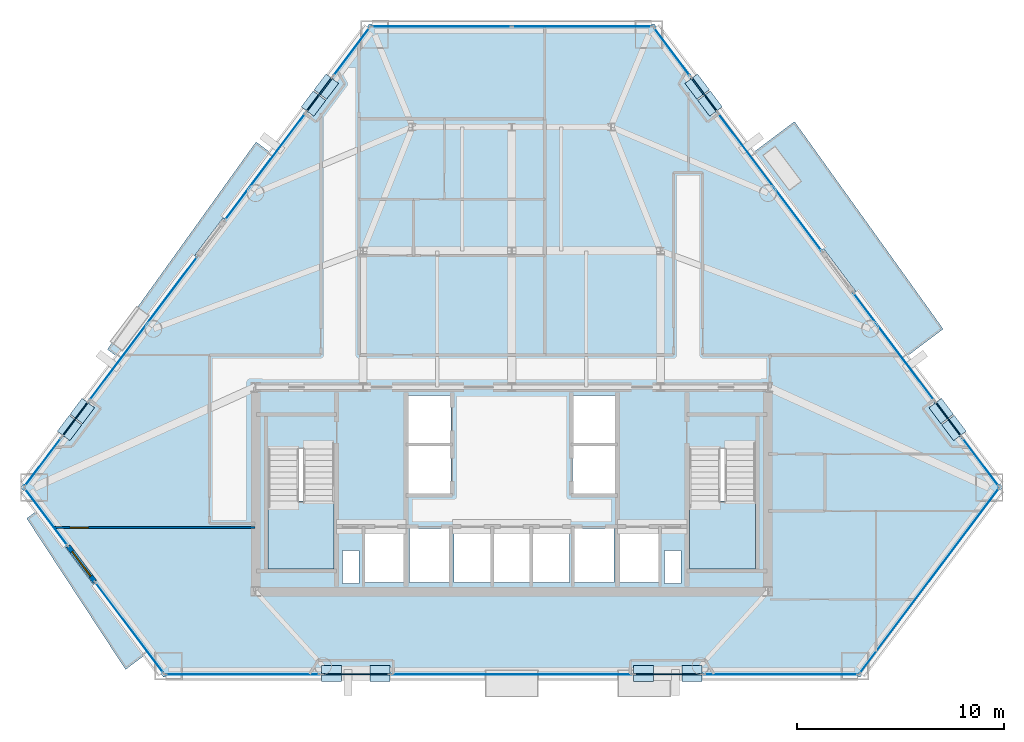
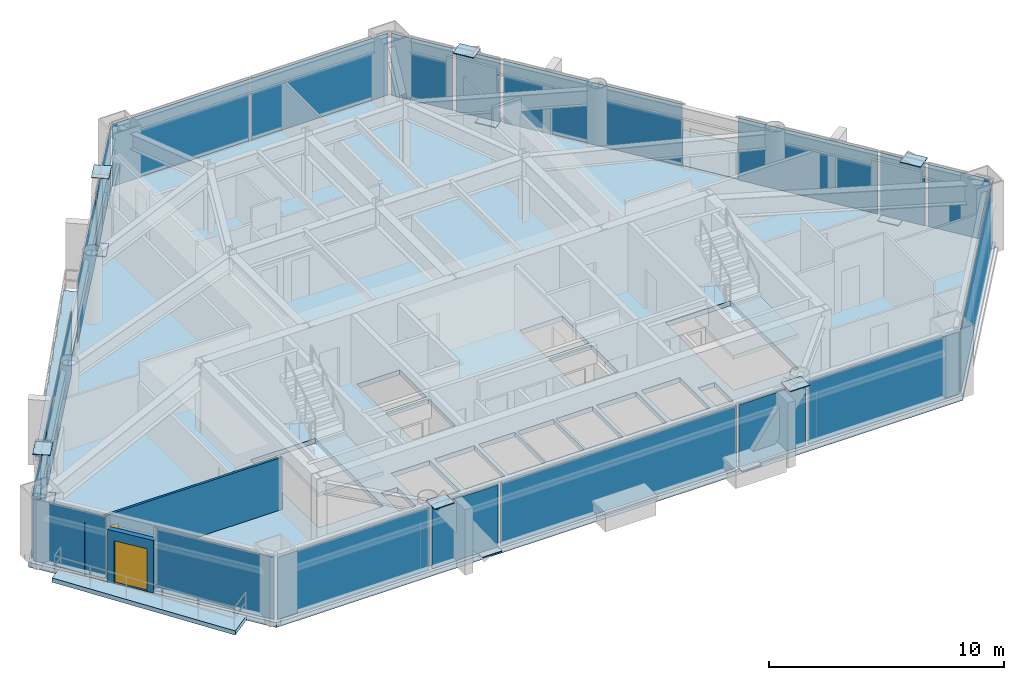
# One storey, part 5 of 10: 34 plates, 6 slabs, 2 doors, 2 walls, 2 openings, 23 elements without a shape of their own.
"""IFC4 building model written with IfcOpenShell, lengths in metres."""

from ifc_helpers import new_model, si_unit, direction, frame, frame_2d, origin, origin_2d, place, context, subcontext, project, spatial, polyline, rectangle, outline, extrude, source, transform, mapped, material, layer, layer_set, type_object, type_shapes, element, fill, aggregate, save


model = new_model("IFC4")

# Units and contexts
model_context = context("Model", 3, precision=1e-05, world=origin(), true_north=direction((0.0, 1.0)))
body_context = subcontext(model_context, "Body", "Model", "MODEL_VIEW")
ifc_project = project(units=[si_unit("LENGTHUNIT", "METRE"), si_unit("AREAUNIT", "SQUARE_METRE"), si_unit("VOLUMEUNIT", "CUBIC_METRE"), si_unit("PLANEANGLEUNIT", "RADIAN"), si_unit("MASSUNIT", "GRAM", prefix="KILO")], contexts=[model_context])

# Site, building, storey
site_placement = place(None, origin())
site = spatial("IfcSite", under=ifc_project, at=site_placement, CompositionType="ELEMENT")
building_placement = place(site_placement, origin())
building = spatial("IfcBuilding", under=site, at=building_placement, Name="Talgorran Terracotta Tower", CompositionType="ELEMENT")
storey_placement = place(building_placement, frame((0.0, 0.0, 82.800048828125)))
storey = spatial("IfcBuildingStorey", under=building, at=storey_placement, Name="L21", CompositionType="ELEMENT", Elevation=82.800048828125)

# Plates
ifc_material_1 = material(Name="Steel Grade 350 (350L0)", Category="steel")
ifc_layer_1 = layer(ifc_material_1, 0.0400390625, Name="PL_CAP_MN05")
ifc_layer_set_1 = layer_set([ifc_layer_1], Name="Steel Grade 350 (350L0)")
plate_type_1 = type_object("IfcPlateType", Name="PL_CAP_MN05", PredefinedType="USERDEFINED", material=ifc_layer_set_1)
for number, where, z_axis, x_axis, name in (
    (1, (-6.381591796875, -18.062255859375, -0.010009765625), (0.0, 0.0, 1.0), (-1.0, 0.0, 0.0), "L21 Diagonal Frame End Cap SWF Bot"),
    (2, (-8.732666015625, -18.062255859375, 3.31982421875), (0.0, 0.0, 1.0), (-1.0, 0.0, 0.0), "L21 Diagonal Frame End Cap SWF Top"),
    (3, (6.381591796875, -18.062255859375, -0.010009765625), (0.0, 0.0, 1.0), (1.0, 0.0, 0.0), "L21 Diagonal Frame End Cap SEF Bot"),
    (4, (8.732666015625, -18.062255859375, 3.31982421875), (0.0, 0.0, 1.0), (1.0, 0.0, 0.0), "L21 Diagonal Frame End Cap SEF Top"),
    (5, (20.788818359375, -5.353759765625, -0.010009765625), (0.0, 0.0, 1.0), (0.600978364173, -0.79926529125, 0.0), "L21 Diagonal Frame End Cap NEL Bot"),
    (6, (21.40869140625, -6.177978515625, 3.31982421875), (0.0, 0.0, 1.0), (0.600978364173, -0.79926529125, 0.0), "L21 Diagonal Frame End Cap NEL Top"),
    (7, (9.59765625, 9.527099609375, -0.010009765625), (0.0, 0.0, 1.0), (-0.600978364173, 0.79926529125, 0.0), "L21 Diagonal Frame End Cap NEU Bot"),
    (8, (8.977783203125, 10.351318359375, 3.31982421875), (0.0, 0.0, 1.0), (-0.600978364173, 0.79926529125, 0.0), "L21 Diagonal Frame End Cap NEU Top"),
    (9, (-9.59765625, 9.527099609375, -0.010009765625), (0.0, 0.0, 1.0), (0.600978364173, 0.79926529125, 0.0), "L21 Diagonal Frame End Cap NWU Bot"),
    (10, (-8.977783203125, 10.351318359375, 3.31982421875), (0.0, 0.0, 1.0), (0.600978364173, 0.79926529125, 0.0), "L21 Diagonal Frame End Cap NWU Top"),
    (11, (-20.788818359375, -5.353759765625, -0.010009765625), (0.0, 0.0, 1.0), (-0.600978364173, -0.79926529125, 0.0), "L21 Diagonal Frame End Cap NWL Bot"),
    (12, (-21.40869140625, -6.177978515625, 3.31982421875), (0.0, 0.0, 1.0), (-0.600978364173, -0.79926529125, 0.0), "L21 Diagonal Frame End Cap NWL Top"),
):
    element("IfcPlate", number, at=place(storey_placement, frame(where, z_axis=z_axis, x_axis=x_axis)), inside=storey, type_object=plate_type_1, Name=name, ObjectType="CAP PLATE", PredefinedType="USERDEFINED", context=body_context, shape_type="SweptSolid", body=[
        extrude(rectangle(XDim=0.9599609375, YDim=0.760009765625, at=origin_2d()), origin(), (0.0, 0.0, 1.0), 0.0400390625),
    ])

# Slabs
ifc_material_2 = material(Name="Concrete C40/50", Category="concrete")
ifc_layer_2 = layer(ifc_material_2, 0.219970703125, Name="SL_BALCONY_220")
ifc_layer_set_2 = layer_set([ifc_layer_2], Name="Concrete C40/50")
slab_type_1 = type_object("IfcSlabType", Name="SL_BALCONY_220", PredefinedType="FLOOR", material=ifc_layer_set_2)
slab_1_placement = place(storey_placement, frame((0.0, 0.0, -0.219970703125)))
element("IfcSlab", 13, at=slab_1_placement, inside=storey, type_object=slab_type_1, Name="L21 Outdoor Wave Balcony BAL-NE", PredefinedType="FLOOR", context=body_context, shape_type="SweptSolid", body=[
    extrude(outline(polyline([(11.63330078125, 7.11181640625), (19.0576171875, -2.760498046875), (20.885498046875, -1.385498046875), (13.687255859375, 8.656494140625), (11.63330078125, 7.11181640625)])), origin(), (0.0, 0.0, 1.0), 0.219970703125),
])
slab_2_placement = place(storey_placement, frame((0.0, 0.0, -0.219970703125)))
element("IfcSlab", 14, at=slab_2_placement, inside=storey, type_object=slab_type_1, Name="L21 Outdoor Wave Balcony BAL-NW", PredefinedType="FLOOR", context=body_context, shape_type="SweptSolid", body=[
    extrude(outline(polyline([(-19.0576171875, -2.760498046875), (-11.63330078125, 7.11181640625), (-12.378662109375, 7.67236328125), (-19.576904296875, -2.369873046875), (-19.0576171875, -2.760498046875)])), origin(), (0.0, 0.0, 1.0), 0.219970703125),
])
slab_3_placement = place(storey_placement, frame((0.0, 0.0, -0.219970703125)))
element("IfcSlab", 15, at=slab_3_placement, inside=storey, type_object=slab_type_1, Name="L21 Outdoor Wave Balcony BAL-SW", PredefinedType="FLOOR", context=body_context, shape_type="SweptSolid", body=[
    extrude(outline(polyline([(-17.712890625, -17.130615234375), (-22.95458984375, -10.1611328125), (-23.4833984375, -10.558837890625), (-18.69384765625, -17.868408203125), (-17.712890625, -17.130615234375)])), origin(), (0.0, 0.0, 1.0), 0.219970703125),
])

# Stair, slab
stair_type = type_object("IfcStairType", Name="ST_FIRE_SCISSOR", PredefinedType="HALF_TURN_STAIR", material=ifc_material_2)
stair_1_placement = place(storey_placement, origin())
stair_1 = element("IfcStair", 16, at=stair_1_placement, inside=storey, type_object=stair_type, Name="L21 West Protected Fire Stair ST-01", PredefinedType="HALF_TURN_STAIR")
ifc_layer_3 = layer(ifc_material_2, 0.199951171875, Name="SL_LANDING_200")
ifc_layer_set_3 = layer_set([ifc_layer_3], Name="Concrete C40/50")
slab_type_2 = type_object("IfcSlabType", Name="SL_LANDING_200", PredefinedType="LANDING", material=ifc_layer_set_3)
slab_4_placement = place(storey_placement, frame((0.0, 0.0, 1.599853515625)))
slab_4 = element("IfcSlab", 17, at=slab_4_placement, type_object=slab_type_2, Name="ST-01 landing 1", PredefinedType="LANDING", context=body_context, shape_type="SweptSolid", body=[
    extrude(outline(polyline([(-11.800048828125, -9.719970703125), (-11.800048828125, -13.0), (-8.60009765625, -13.0), (-8.60009765625, -9.719970703125), (-11.800048828125, -9.719970703125)])), origin(), (0.0, 0.0, 1.0), 0.2001953125),
])
aggregate(stair_1, [slab_4])

stair_2_placement = place(storey_placement, origin())
stair_2 = element("IfcStair", 18, at=stair_2_placement, inside=storey, type_object=stair_type, Name="L21 East Protected Fire Stair ST-02", PredefinedType="HALF_TURN_STAIR")
slab_5_placement = place(storey_placement, frame((0.0, 0.0, 1.599853515625)))
slab_5 = element("IfcSlab", 19, at=slab_5_placement, type_object=slab_type_2, Name="ST-02 landing 1", PredefinedType="LANDING", context=body_context, shape_type="SweptSolid", body=[
    extrude(outline(polyline([(8.60009765625, -9.719970703125), (8.60009765625, -13.0), (11.800048828125, -13.0), (11.800048828125, -9.719970703125), (8.60009765625, -9.719970703125)])), origin(), (0.0, 0.0, 1.0), 0.2001953125),
])
aggregate(stair_2, [slab_5])

# Slab
ifc_layer_4 = layer(ifc_material_2, 0.264892578125, Name="SL_TOWER_265")
ifc_layer_set_4 = layer_set([ifc_layer_4], Name="Concrete C40/50")
slab_type_3 = type_object("IfcSlabType", Name="SL_TOWER_265", PredefinedType="FLOOR", material=ifc_layer_set_4)
slab_6_placement = place(storey_placement, frame((0.0, 0.0, -0.25)))
element("IfcSlab", 20, at=slab_6_placement, inside=storey, type_object=slab_type_3, Name="Storey L21 Structural Floor Slab", PredefinedType="FLOOR", context=body_context, shape_type="SweptSolid", body=[
    extrude(outline(polyline([(-23.77001953125, -9.0517578125), (-16.873291015625, -18.22216796875), (16.873291015625, -18.22216796875), (23.77001953125, -9.0517578125), (6.896484375, 13.385009765625), (-6.896484375, 13.385009765625), (-23.77001953125, -9.0517578125)]), holes=[polyline([(-11.800048828125, -7.199951171875), (-11.800048828125, -13.0), (-8.60009765625, -13.0), (-8.60009765625, -7.199951171875), (-11.800048828125, -7.199951171875)]), polyline([(8.60009765625, -7.199951171875), (8.60009765625, -13.0), (11.800048828125, -13.0), (11.800048828125, -7.199951171875), (8.60009765625, -7.199951171875)]), polyline([(-7.10009765625, -13.64990234375), (-5.199951171875, -13.64990234375), (-5.199951171875, -11.050048828125), (-7.10009765625, -11.050048828125), (-7.10009765625, -13.64990234375)]), polyline([(5.199951171875, -13.64990234375), (7.10009765625, -13.64990234375), (7.10009765625, -11.050048828125), (5.199951171875, -11.050048828125), (5.199951171875, -13.64990234375)]), polyline([(3.0, -13.64990234375), (4.949951171875, -13.64990234375), (4.949951171875, -11.050048828125), (3.0, -11.050048828125), (3.0, -13.64990234375)]), polyline([(-4.949951171875, -13.64990234375), (-3.0, -13.64990234375), (-3.0, -11.050048828125), (-4.949951171875, -11.050048828125), (-4.949951171875, -13.64990234375)]), polyline([(-5.050048828125, -9.35009765625), (-2.949951171875, -9.35009765625), (-2.949951171875, -7.050048828125), (-5.050048828125, -7.050048828125), (-5.050048828125, -9.35009765625)]), polyline([(-5.050048828125, -6.89990234375), (-2.949951171875, -6.89990234375), (-2.949951171875, -4.60009765625), (-5.050048828125, -4.60009765625), (-5.050048828125, -6.89990234375)]), polyline([(2.949951171875, -9.35009765625), (5.050048828125, -9.35009765625), (5.050048828125, -7.050048828125), (2.949951171875, -7.050048828125), (2.949951171875, -9.35009765625)]), polyline([(2.949951171875, -6.89990234375), (5.050048828125, -6.89990234375), (5.050048828125, -4.60009765625), (2.949951171875, -4.60009765625), (2.949951171875, -6.89990234375)]), polyline([(-2.800048828125, -13.64990234375), (-1.0, -13.64990234375), (-1.0, -11.050048828125), (-2.800048828125, -11.050048828125), (-2.800048828125, -13.64990234375)]), polyline([(-0.89990234375, -13.64990234375), (0.89990234375, -13.64990234375), (0.89990234375, -11.050048828125), (-0.89990234375, -11.050048828125), (-0.89990234375, -13.64990234375)]), polyline([(1.0, -13.64990234375), (2.800048828125, -13.64990234375), (2.800048828125, -11.050048828125), (1.0, -11.050048828125), (1.0, -13.64990234375)]), polyline([(-8.199951171875, -13.699951171875), (-7.39990234375, -13.699951171875), (-7.39990234375, -12.10009765625), (-8.199951171875, -12.10009765625), (-8.199951171875, -13.699951171875)]), polyline([(7.39990234375, -13.699951171875), (8.199951171875, -13.699951171875), (8.199951171875, -12.10009765625), (7.39990234375, -12.10009765625), (7.39990234375, -13.699951171875)])]), origin(), (0.0, 0.0, 1.0), 0.25),
])

# Curtain wall, plate
ifc_material_3 = material(Name="Unitised Low-E Double Glazing", Category="glass")
ifc_layer_5 = layer(ifc_material_3, 0.199951171875, Name="CW_SYS2_RES_LOW")
ifc_layer_set_5 = layer_set([ifc_layer_5], Name="Unitised Low-E Double Glazing")
curtain_wall_type = type_object("IfcCurtainWallType", Name="CW_SYS2_RES_LOW", PredefinedType="NOTDEFINED", material=ifc_layer_set_5)
curtain_wall_1_placement = place(storey_placement, origin())
curtain_wall_1 = element("IfcCurtainWall", 21, at=curtain_wall_1_placement, inside=storey, type_object=curtain_wall_type, Name="CW-L21-F10", PredefinedType="NOTDEFINED")
ifc_material_4 = material(Name="Low-E Laminated Vision Glass", Category="glass")
ifc_layer_6 = layer(ifc_material_4, 0.028076171875, Name="PLT_VISION_28")
ifc_layer_set_6 = layer_set([ifc_layer_6], Name="Low-E Laminated Vision Glass")
plate_type_2 = type_object("IfcPlateType", Name="PLT_VISION_28", PredefinedType="CURTAIN_PANEL", material=ifc_layer_set_6)
shared_shape_1 = source(origin(), body_context, "Body", "SweptSolid", [
    extrude(rectangle(XDim=3.38330078125, YDim=0.028076171875, at=origin_2d()), origin(), (0.0, 0.0, 1.0), 3.219970703125),
])
plate_1_placement = place(storey_placement, frame((-22.5400390625, -10.487548828125, 0.06494140625), z_axis=(0.0, 0.0, 1.0), x_axis=(0.601065143603, -0.799200033249, 0.0)))
plate_1 = element("IfcPlate", 22, at=plate_1_placement, type_object=plate_type_2, Name="CW-L21-10 panel 1.1", PredefinedType="CURTAIN_PANEL", context=body_context, shape_type="MappedRepresentation", body=[
    mapped(shared_shape_1, transform((0.0, 0.0, 0.0), scale=1.0)),
])
aggregate(curtain_wall_1, [plate_1])

curtain_wall_2_placement = place(storey_placement, origin())
curtain_wall_2 = element("IfcCurtainWall", 23, at=curtain_wall_2_placement, inside=storey, type_object=curtain_wall_type, Name="CW-L21-F11", PredefinedType="NOTDEFINED")
shared_shape_2 = source(origin(), body_context, "Body", "SweptSolid", [
    extrude(rectangle(XDim=5.44091796875, YDim=0.028076171875, at=origin_2d()), origin(), (0.0, 0.0, 1.0), 3.219970703125),
])
plate_2_placement = place(storey_placement, frame((-18.51171875, -15.843994140625, 0.06494140625), z_axis=(0.0, 0.0, 1.0), x_axis=(0.601056373493, -0.799206629029, 0.0)))
plate_2 = element("IfcPlate", 24, at=plate_2_placement, type_object=plate_type_2, Name="CW-L21-11 panel 1.1", PredefinedType="CURTAIN_PANEL", context=body_context, shape_type="MappedRepresentation", body=[
    mapped(shared_shape_2, transform((0.0, 0.0, 0.0), scale=1.0)),
])
aggregate(curtain_wall_2, [plate_2])

curtain_wall_3_placement = place(storey_placement, origin())
curtain_wall_3 = element("IfcCurtainWall", 25, at=curtain_wall_3_placement, inside=storey, type_object=curtain_wall_type, Name="CW-L21-F1", PredefinedType="NOTDEFINED")
shared_shape_3 = source(origin(), body_context, "Body", "SweptSolid", [
    extrude(rectangle(XDim=7.42578125, YDim=0.028076171875, at=origin_2d()), origin(), (0.0, 0.0, 1.0), 3.219970703125),
])
plate_3_placement = place(storey_placement, frame((-13.03564453125, -18.102294921875, 0.06494140625), z_axis=(0.0, 0.0, 1.0), x_axis=(1.0, 0.0, 0.0)))
plate_3 = element("IfcPlate", 26, at=plate_3_placement, type_object=plate_type_2, Name="CW-L21-1 panel 1.1", PredefinedType="CURTAIN_PANEL", context=body_context, shape_type="MappedRepresentation", body=[
    mapped(shared_shape_3, transform((0.0, 0.0, 0.0), scale=1.0)),
])
aggregate(curtain_wall_3, [plate_3])

curtain_wall_4_placement = place(storey_placement, origin())
curtain_wall_4 = element("IfcCurtainWall", 27, at=curtain_wall_4_placement, inside=storey, type_object=curtain_wall_type, Name="CW-L21-F1E", PredefinedType="NOTDEFINED")
plate_4_placement = place(storey_placement, frame((13.03564453125, -18.102294921875, 0.06494140625), z_axis=(0.0, 0.0, 1.0), x_axis=(1.0, 0.0, 0.0)))
plate_4 = element("IfcPlate", 28, at=plate_4_placement, type_object=plate_type_2, Name="CW-L21-1E panel 1.1", PredefinedType="CURTAIN_PANEL", context=body_context, shape_type="MappedRepresentation", body=[
    mapped(shared_shape_3, transform((0.0, 0.0, 0.0), scale=1.0)),
])
aggregate(curtain_wall_4, [plate_4])

curtain_wall_5_placement = place(storey_placement, origin())
curtain_wall_5 = element("IfcCurtainWall", 29, at=curtain_wall_5_placement, inside=storey, type_object=curtain_wall_type, Name="CW-L21-F1B", PredefinedType="NOTDEFINED")
ifc_material_5 = material(Name="Terracotta Insulated Spandrel", Category="masonry")
ifc_layer_7 = layer(ifc_material_5, 0.06494140625, Name="PLT_SPANDREL_TERRA")
ifc_layer_set_7 = layer_set([ifc_layer_7], Name="Terracotta Insulated Spandrel")
plate_type_3 = type_object("IfcPlateType", Name="PLT_SPANDREL_TERRA", PredefinedType="SHEET", material=ifc_layer_set_7)
shared_shape_4 = source(origin(), body_context, "Body", "SweptSolid", [
    extrude(rectangle(XDim=3.251220703125, YDim=0.06494140625, at=origin_2d()), origin(), (0.0, 0.0, 1.0), 3.219970703125),
])
plate_5_placement = place(storey_placement, frame((-7.55712890625, -18.102294921875, 0.06494140625), z_axis=(0.0, 0.0, 1.0), x_axis=(1.0, 0.0, 0.0)))
plate_5 = element("IfcPlate", 30, at=plate_5_placement, type_object=plate_type_3, Name="CW-L21-1B panel 1.1", PredefinedType="CURTAIN_PANEL", context=body_context, shape_type="MappedRepresentation", body=[
    mapped(shared_shape_4, transform((0.0, 0.0, 0.0), scale=1.0)),
])
aggregate(curtain_wall_5, [plate_5])

curtain_wall_6_placement = place(storey_placement, origin())
curtain_wall_6 = element("IfcCurtainWall", 31, at=curtain_wall_6_placement, inside=storey, type_object=curtain_wall_type, Name="CW-L21-F1D", PredefinedType="NOTDEFINED")
plate_6_placement = place(storey_placement, frame((7.55712890625, -18.102294921875, 0.06494140625), z_axis=(0.0, 0.0, 1.0), x_axis=(1.0, 0.0, 0.0)))
plate_6 = element("IfcPlate", 32, at=plate_6_placement, type_object=plate_type_3, Name="CW-L21-1D panel 1.1", PredefinedType="CURTAIN_PANEL", context=body_context, shape_type="MappedRepresentation", body=[
    mapped(shared_shape_4, transform((0.0, 0.0, 0.0), scale=1.0)),
])
aggregate(curtain_wall_6, [plate_6])

curtain_wall_7_placement = place(storey_placement, origin())
curtain_wall_7 = element("IfcCurtainWall", 33, at=curtain_wall_7_placement, inside=storey, type_object=curtain_wall_type, Name="CW-L21-F1C", PredefinedType="NOTDEFINED")
shared_shape_5 = source(origin(), body_context, "Body", "SweptSolid", [
    extrude(rectangle(XDim=11.582763671875, YDim=0.028076171875, at=origin_2d()), origin(), (0.0, 0.0, 1.0), 3.219970703125),
])
plate_7_placement = place(storey_placement, frame((0.0, -18.102294921875, 0.06494140625), z_axis=(0.0, 0.0, 1.0), x_axis=(1.0, 0.0, 0.0)))
plate_7 = element("IfcPlate", 34, at=plate_7_placement, type_object=plate_type_2, Name="CW-L21-1C panel 1.1", PredefinedType="CURTAIN_PANEL", context=body_context, shape_type="MappedRepresentation", body=[
    mapped(shared_shape_5, transform((0.0, 0.0, 0.0), scale=1.0)),
])
aggregate(curtain_wall_7, [plate_7])

curtain_wall_8_placement = place(storey_placement, origin())
curtain_wall_8 = element("IfcCurtainWall", 35, at=curtain_wall_8_placement, inside=storey, type_object=curtain_wall_type, Name="CW-L21-F2", PredefinedType="NOTDEFINED")
shared_shape_6 = source(origin(), body_context, "Body", "SweptSolid", [
    extrude(rectangle(XDim=11.1943359375, YDim=0.028076171875, at=origin_2d()), origin(), (0.0, 0.0, 1.0), 3.219970703125),
])
plate_8_placement = place(storey_placement, frame((20.216796875, -13.576904296875, 0.06494140625), z_axis=(0.0, 0.0, 1.0), x_axis=(0.601052083423, 0.799209855428, 0.0)))
plate_8 = element("IfcPlate", 36, at=plate_8_placement, type_object=plate_type_2, Name="CW-L21-2 panel 1.1", PredefinedType="CURTAIN_PANEL", context=body_context, shape_type="MappedRepresentation", body=[
    mapped(shared_shape_6, transform((0.0, 0.0, 0.0), scale=1.0)),
])
aggregate(curtain_wall_8, [plate_8])

curtain_wall_9_placement = place(storey_placement, origin())
curtain_wall_9 = element("IfcCurtainWall", 37, at=curtain_wall_9_placement, inside=storey, type_object=curtain_wall_type, Name="CW-L21-F40", PredefinedType="NOTDEFINED")
shared_shape_7 = source(origin(), body_context, "Body", "SweptSolid", [
    extrude(rectangle(XDim=2.8701171875, YDim=0.028076171875, at=origin_2d()), origin(), (0.0, 0.0, 1.0), 3.219970703125),
])
plate_9_placement = place(storey_placement, frame((22.6943359375, -7.82080078125, 0.06494140625), z_axis=(0.0, 0.0, 1.0), x_axis=(-0.601071410388, 0.799195320065, 0.0)))
plate_9 = element("IfcPlate", 38, at=plate_9_placement, type_object=plate_type_2, Name="CW-L21-40 panel 1.1", PredefinedType="CURTAIN_PANEL", context=body_context, shape_type="MappedRepresentation", body=[
    mapped(shared_shape_7, transform((0.0, 0.0, 0.0), scale=1.0)),
])
aggregate(curtain_wall_9, [plate_9])

curtain_wall_10_placement = place(storey_placement, origin())
curtain_wall_10 = element("IfcCurtainWall", 39, at=curtain_wall_10_placement, inside=storey, type_object=curtain_wall_type, Name="CW-L21-F61C", PredefinedType="NOTDEFINED")
plate_10_placement = place(storey_placement, frame((-22.6943359375, -7.82080078125, 0.06494140625), z_axis=(0.0, 0.0, 1.0), x_axis=(-0.601034108861, -0.799223373022, 0.0)))
plate_10 = element("IfcPlate", 40, at=plate_10_placement, type_object=plate_type_2, Name="CW-L21-61C panel 1.1", PredefinedType="CURTAIN_PANEL", context=body_context, shape_type="MappedRepresentation", body=[
    mapped(shared_shape_7, transform((0.0, 0.0, 0.0), scale=1.0)),
])
aggregate(curtain_wall_10, [plate_10])

curtain_wall_11_placement = place(storey_placement, origin())
curtain_wall_11 = element("IfcCurtainWall", 41, at=curtain_wall_11_placement, inside=storey, type_object=curtain_wall_type, Name="CW-L21-F40B", PredefinedType="NOTDEFINED")
shared_shape_8 = source(origin(), body_context, "Body", "SweptSolid", [
    extrude(rectangle(XDim=2.052490234375, YDim=0.06494140625, at=origin_2d()), origin(), (0.0, 0.0, 1.0), 3.219970703125),
])
type_shapes(plate_type_3, [shared_shape_4, shared_shape_8])
plate_11_placement = place(storey_placement, frame((21.130859375, -5.741943359375, 0.06494140625), z_axis=(0.0, 0.0, 1.0), x_axis=(-0.601047813395, 0.799213066718, 0.0)))
plate_11 = element("IfcPlate", 42, at=plate_11_placement, type_object=plate_type_3, Name="CW-L21-40B panel 1.1", PredefinedType="CURTAIN_PANEL", context=body_context, shape_type="MappedRepresentation", body=[
    mapped(shared_shape_8, transform((0.0, 0.0, 0.0), scale=1.0)),
])
aggregate(curtain_wall_11, [plate_11])

curtain_wall_12_placement = place(storey_placement, origin())
curtain_wall_12 = element("IfcCurtainWall", 43, at=curtain_wall_12_placement, inside=storey, type_object=curtain_wall_type, Name="CW-L21-F41B", PredefinedType="NOTDEFINED")
plate_12_placement = place(storey_placement, frame((9.31982421875, 9.96337890625, 0.06494140625), z_axis=(0.0, 0.0, 1.0), x_axis=(-0.601077078411, 0.799191057138, 0.0)))
plate_12 = element("IfcPlate", 44, at=plate_12_placement, type_object=plate_type_3, Name="CW-L21-41B panel 1.1", PredefinedType="CURTAIN_PANEL", context=body_context, shape_type="MappedRepresentation", body=[
    mapped(shared_shape_8, transform((0.0, 0.0, 0.0), scale=1.0)),
])
aggregate(curtain_wall_12, [plate_12])

curtain_wall_13_placement = place(storey_placement, origin())
curtain_wall_13 = element("IfcCurtainWall", 45, at=curtain_wall_13_placement, inside=storey, type_object=curtain_wall_type, Name="CW-L21-F60B", PredefinedType="NOTDEFINED")
plate_13_placement = place(storey_placement, frame((-9.31982421875, 9.96337890625, 0.06494140625), z_axis=(0.0, 0.0, 1.0), x_axis=(-0.601077078411, -0.799191057138, 0.0)))
plate_13 = element("IfcPlate", 46, at=plate_13_placement, type_object=plate_type_3, Name="CW-L21-60B panel 1.1", PredefinedType="CURTAIN_PANEL", context=body_context, shape_type="MappedRepresentation", body=[
    mapped(shared_shape_8, transform((0.0, 0.0, 0.0), scale=1.0)),
])
aggregate(curtain_wall_13, [plate_13])

curtain_wall_14_placement = place(storey_placement, origin())
curtain_wall_14 = element("IfcCurtainWall", 47, at=curtain_wall_14_placement, inside=storey, type_object=curtain_wall_type, Name="CW-L21-F61B", PredefinedType="NOTDEFINED")
plate_14_placement = place(storey_placement, frame((-21.130859375, -5.74169921875, 0.06494140625), z_axis=(0.0, 0.0, 1.0), x_axis=(-0.601047813395, -0.799213066718, 0.0)))
plate_14 = element("IfcPlate", 48, at=plate_14_placement, type_object=plate_type_3, Name="CW-L21-61B panel 1.1", PredefinedType="CURTAIN_PANEL", context=body_context, shape_type="MappedRepresentation", body=[
    mapped(shared_shape_8, transform((0.0, 0.0, 0.0), scale=1.0)),
])
aggregate(curtain_wall_14, [plate_14])

curtain_wall_15_placement = place(storey_placement, origin())
curtain_wall_15 = element("IfcCurtainWall", 49, at=curtain_wall_15_placement, inside=storey, type_object=curtain_wall_type, Name="CW-L21-F40C", PredefinedType="NOTDEFINED")
shared_shape_9 = source(origin(), body_context, "Body", "SweptSolid", [
    extrude(rectangle(XDim=6.4501953125, YDim=0.028076171875, at=origin_2d()), origin(), (0.0, 0.0, 1.0), 3.219970703125),
])
plate_15_placement = place(storey_placement, frame((18.491455078125, -2.232177734375, 0.06494140625), z_axis=(0.0, 0.0, 1.0), x_axis=(-0.601052347796, 0.799209656604, 0.0)))
plate_15 = element("IfcPlate", 50, at=plate_15_placement, type_object=plate_type_2, Name="CW-L21-40C panel 1.1", PredefinedType="CURTAIN_PANEL", context=body_context, shape_type="MappedRepresentation", body=[
    mapped(shared_shape_9, transform((0.0, 0.0, 0.0), scale=1.0)),
])
aggregate(curtain_wall_15, [plate_15])

curtain_wall_16_placement = place(storey_placement, origin())
curtain_wall_16 = element("IfcCurtainWall", 51, at=curtain_wall_16_placement, inside=storey, type_object=curtain_wall_type, Name="CW-L21-F41", PredefinedType="NOTDEFINED")
shared_shape_10 = source(origin(), body_context, "Body", "SweptSolid", [
    extrude(rectangle(XDim=8.278076171875, YDim=0.028076171875, at=origin_2d()), origin(), (0.0, 0.0, 1.0), 3.219970703125),
])
plate_16_placement = place(storey_placement, frame((12.508544921875, 5.72314453125, 0.06494140625), z_axis=(0.0, 0.0, 1.0), x_axis=(-0.601047991522, 0.799212932758, 0.0)))
plate_16 = element("IfcPlate", 52, at=plate_16_placement, type_object=plate_type_2, Name="CW-L21-41 panel 1.1", PredefinedType="CURTAIN_PANEL", context=body_context, shape_type="MappedRepresentation", body=[
    mapped(shared_shape_10, transform((0.0, 0.0, 0.0), scale=1.0)),
])
aggregate(curtain_wall_16, [plate_16])

curtain_wall_17_placement = place(storey_placement, origin())
curtain_wall_17 = element("IfcCurtainWall", 53, at=curtain_wall_17_placement, inside=storey, type_object=curtain_wall_type, Name="CW-L21-F41C", PredefinedType="NOTDEFINED")
shared_shape_11 = source(origin(), body_context, "Body", "SweptSolid", [
    extrude(rectangle(XDim=2.85986328125, YDim=0.028076171875, at=origin_2d()), origin(), (0.0, 0.0, 1.0), 3.219970703125),
])
plate_17_placement = place(storey_placement, frame((7.75927734375, 12.038330078125, 0.06494140625), z_axis=(0.0, 0.0, 1.0), x_axis=(-0.601048333912, 0.799212675264, 0.0)))
plate_17 = element("IfcPlate", 54, at=plate_17_placement, type_object=plate_type_2, Name="CW-L21-41C panel 1.1", PredefinedType="CURTAIN_PANEL", context=body_context, shape_type="MappedRepresentation", body=[
    mapped(shared_shape_11, transform((0.0, 0.0, 0.0), scale=1.0)),
])
aggregate(curtain_wall_17, [plate_17])

curtain_wall_18_placement = place(storey_placement, origin())
curtain_wall_18 = element("IfcCurtainWall", 55, at=curtain_wall_18_placement, inside=storey, type_object=curtain_wall_type, Name="CW-L21-F60", PredefinedType="NOTDEFINED")
plate_18_placement = place(storey_placement, frame((-7.75927734375, 12.038330078125, 0.06494140625), z_axis=(0.0, 0.0, 1.0), x_axis=(-0.601048333912, -0.799212675264, 0.0)))
plate_18 = element("IfcPlate", 56, at=plate_18_placement, type_object=plate_type_2, Name="CW-L21-60 panel 1.1", PredefinedType="CURTAIN_PANEL", context=body_context, shape_type="MappedRepresentation", body=[
    mapped(shared_shape_11, transform((0.0, 0.0, 0.0), scale=1.0)),
])
aggregate(curtain_wall_18, [plate_18])

# Curtain wall, plates
curtain_wall_19_placement = place(storey_placement, origin())
curtain_wall_19 = element("IfcCurtainWall", 57, at=curtain_wall_19_placement, inside=storey, type_object=curtain_wall_type, Name="CW-L21-F4", PredefinedType="NOTDEFINED")
shared_shape_12 = source(origin(), body_context, "Body", "SweptSolid", [
    extrude(rectangle(XDim=6.7392578125, YDim=0.028076171875, at=origin_2d()), origin(), (0.0, 0.0, 1.0), 3.219970703125),
])
plate_19_placement = place(storey_placement, frame((3.402099609375, 13.26513671875, 0.06494140625), z_axis=(0.0, 0.0, 1.0), x_axis=(-1.0, 0.0, 0.0)))
plate_19 = element("IfcPlate", 58, at=plate_19_placement, type_object=plate_type_2, Name="CW-L21-4 panel 1.1", PredefinedType="CURTAIN_PANEL", context=body_context, shape_type="MappedRepresentation", body=[
    mapped(shared_shape_12, transform((0.0, 0.0, 0.0), scale=1.0)),
])
plate_20_placement = place(storey_placement, frame((-3.402099609375, 13.26513671875, 0.06494140625), z_axis=(0.0, 0.0, 1.0), x_axis=(-1.0, 0.0, 0.0)))
plate_20 = element("IfcPlate", 59, at=plate_20_placement, type_object=plate_type_2, Name="CW-L21-4 panel 2.1", PredefinedType="CURTAIN_PANEL", context=body_context, shape_type="MappedRepresentation", body=[
    mapped(shared_shape_12, transform((0.0, 0.0, 0.0), scale=1.0)),
])
aggregate(curtain_wall_19, [plate_19, plate_20])

# Curtain wall, plate
curtain_wall_20_placement = place(storey_placement, origin())
curtain_wall_20 = element("IfcCurtainWall", 60, at=curtain_wall_20_placement, inside=storey, type_object=curtain_wall_type, Name="CW-L21-F60C", PredefinedType="NOTDEFINED")
shared_shape_13 = source(origin(), body_context, "Body", "SweptSolid", [
    extrude(rectangle(XDim=6.395263671875, YDim=0.028076171875, at=origin_2d()), origin(), (0.0, 0.0, 1.0), 3.219970703125),
])
plate_21_placement = place(storey_placement, frame((-11.942626953125, 6.4755859375, 0.06494140625), z_axis=(0.0, 0.0, 1.0), x_axis=(-0.601046490132, -0.799214061876, 0.0)))
plate_21 = element("IfcPlate", 61, at=plate_21_placement, type_object=plate_type_2, Name="CW-L21-60C panel 1.1", PredefinedType="CURTAIN_PANEL", context=body_context, shape_type="MappedRepresentation", body=[
    mapped(shared_shape_13, transform((0.0, 0.0, 0.0), scale=1.0)),
])
aggregate(curtain_wall_20, [plate_21])

curtain_wall_21_placement = place(storey_placement, origin())
curtain_wall_21 = element("IfcCurtainWall", 62, at=curtain_wall_21_placement, inside=storey, type_object=curtain_wall_type, Name="CW-L21-F61", PredefinedType="NOTDEFINED")
shared_shape_14 = source(origin(), body_context, "Body", "SweptSolid", [
    extrude(rectangle(XDim=8.633056640625, YDim=0.028076171875, at=origin_2d()), origin(), (0.0, 0.0, 1.0), 3.219970703125),
])
type_shapes(plate_type_2, [shared_shape_1, shared_shape_2, shared_shape_3, shared_shape_5, shared_shape_6, shared_shape_7, shared_shape_9, shared_shape_10, shared_shape_11, shared_shape_12, shared_shape_13, shared_shape_14])
plate_22_placement = place(storey_placement, frame((-17.83544921875, -1.35986328125, 0.06494140625), z_axis=(0.0, 0.0, 1.0), x_axis=(-0.601042062081, -0.799217391959, 0.0)))
plate_22 = element("IfcPlate", 63, at=plate_22_placement, type_object=plate_type_2, Name="CW-L21-61 panel 1.1", PredefinedType="CURTAIN_PANEL", context=body_context, shape_type="MappedRepresentation", body=[
    mapped(shared_shape_14, transform((0.0, 0.0, 0.0), scale=1.0)),
])
aggregate(curtain_wall_21, [plate_22])

# Wall, opening, door
ifc_layer_8 = layer(ifc_material_2, 0.239990234375, Name="WT_BALCONY_SPAND")
ifc_layer_set_8 = layer_set([ifc_layer_8], Name="Concrete C40/50")
wall_type_1 = type_object("IfcWallType", Name="WT_BALCONY_SPAND", PredefinedType="STANDARD", material=ifc_layer_set_8)
wall_1_placement = place(storey_placement, frame((-21.478271484375, -11.8994140625, -0.01513671875), z_axis=(0.0, 0.0, 1.0), x_axis=(0.60105808525, -0.799205341671, 0.0)))
wall_1 = element("IfcWall", 64, at=wall_1_placement, inside=storey, type_object=wall_type_1, Name="WL-L21-BALP-BAL-SW", PredefinedType="STANDARD", context=body_context, shape_type="SweptSolid", body=[
    extrude(rectangle(XDim=2.14013671875, YDim=0.239990234375, at=frame_2d((1.070068359375, 0.0))), origin(), (0.0, 0.0, 1.0), 2.728515625),
])
opening_1_placement = place(wall_1_placement, frame((0.320068359375, 0.0, 0.014892578125)))
opening_1 = element("IfcOpeningElement", 65, at=opening_1_placement, cuts=wall_1, Name="Opening D-BAL-L21-3", PredefinedType="OPENING", context=body_context, shape_type="SweptSolid", body=[
    extrude(rectangle(XDim=1.506, YDim=2.203951171875, at=frame_2d((0.75, 1.10205078125))), frame((0.0, 0.1298828125, 0.0), z_axis=(0.0, -1.0, 0.0), x_axis=(1.0, 0.0, 0.0)), (0.0, 0.0, 1.0), 0.260009765625),
])
ifc_material_6 = material(Name="Thermally Broken Aluminium", Category="aluminium")
door_type_1 = type_object("IfcDoorType", Name="DT_BALC_1500", OperationType="SLIDING_TO_RIGHT", PredefinedType="DOOR", material=ifc_material_6)
door_1_placement = place(opening_1_placement, origin())
door_1 = element("IfcDoor", 66, at=door_1_placement, inside=storey, type_object=door_type_1, Name="DR-L21-BAL-BAL-SW", OperationType="SLIDING_TO_RIGHT", OverallHeight=2.199951171875, OverallWidth=1.5, PredefinedType="DOOR", context=body_context, shape_type="SweptSolid", body=[
    extrude(rectangle(XDim=1.5, YDim=2.199951171875, at=frame_2d((0.75, 1.10009765625))), frame((0.0, 0.02490234375, 0.0), z_axis=(0.0, -1.0, 0.0), x_axis=(1.0, 0.0, 0.0)), (0.0, 0.0, 1.0), 0.050048828125),
])
fill(opening_1, door_1)

ifc_material_7 = material(Name="Lightweight Steel Stud Partition", Category="steel")
ifc_layer_9 = layer(ifc_material_7, 0.10498046875, Name="WT_PART_110")
ifc_layer_set_9 = layer_set([ifc_layer_9], Name="Lightweight Steel Stud Partition")
wall_type_2 = type_object("IfcWallType", Name="WT_PART_110", PredefinedType="PARTITIONING", material=ifc_layer_set_9)
wall_2_placement = place(storey_placement, frame((-22.15478515625, -11.0, 0.0), z_axis=(0.0, 0.0, 1.0), x_axis=(1.0, 0.0, 0.0)))
wall_2 = element("IfcWall", 67, at=wall_2_placement, inside=storey, type_object=wall_type_2, Name="WL-L21-W-L21-R18", PredefinedType="PARTITIONING", context=body_context, shape_type="SweptSolid", body=[
    extrude(rectangle(XDim=9.71484375, YDim=0.10498046875, at=frame_2d((4.857421875, 0.0))), origin(), (0.0, 0.0, 1.0), 2.71337890625),
])
opening_2_placement = place(wall_2_placement, frame((0.779541015625, 0.0, 0.0)))
opening_2 = element("IfcOpeningElement", 68, at=opening_2_placement, cuts=wall_2, Name="Opening DR-L21-R02", PredefinedType="OPENING", context=body_context, shape_type="SweptSolid", body=[
    extrude(rectangle(XDim=0.8858828125, YDim=2.10409765625, at=frame_2d((0.43994140625, 1.052001953125))), frame((0.0, 0.0625, 0.0), z_axis=(0.0, -1.0, 0.0), x_axis=(1.0, 0.0, 0.0)), (0.0, 0.0, 1.0), 0.125),
])
ifc_material_8 = material(Name="Solid-Core Painted Timber", Category="wood")
door_type_2 = type_object("IfcDoorType", Name="DT_INT_880", OperationType="NOTDEFINED", PredefinedType="DOOR", material=ifc_material_8)
door_2_placement = place(opening_2_placement, origin())
door_2 = element("IfcDoor", 69, at=door_2_placement, inside=storey, type_object=door_type_2, Name="DR-L21-R02", OperationType="SINGLE_SWING_RIGHT", OverallHeight=2.10009765625, OverallWidth=0.8798828125, PredefinedType="DOOR", context=body_context, shape_type="SweptSolid", body=[
    extrude(rectangle(XDim=0.8798828125, YDim=2.10009765625, at=frame_2d((0.43994140625, 1.050048828125))), frame((0.0, 0.02490234375, 0.0), z_axis=(0.0, -1.0, 0.0), x_axis=(1.0, 0.0, 0.0)), (0.0, 0.0, 1.0), 0.050048828125),
])
fill(opening_2, door_2)

save(model, "model.ifc")
